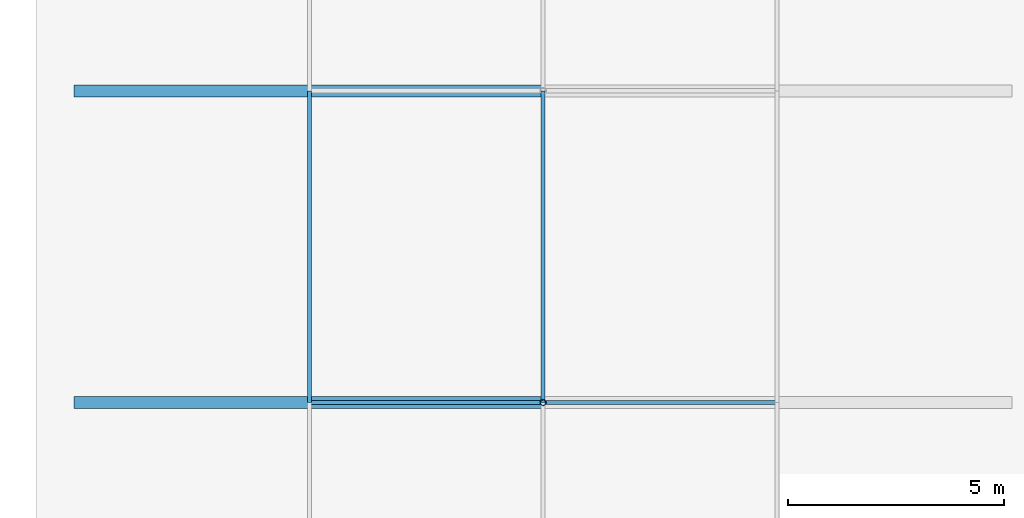
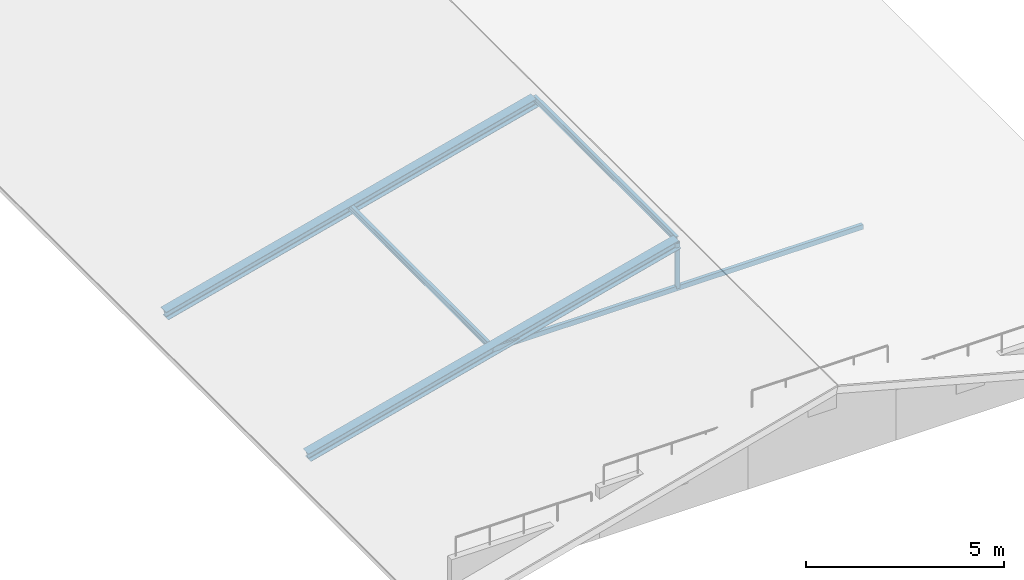
# One storey, part 15 of 65: 6 members.
"""IFC4 building model written with IfcOpenShell, lengths in metres."""

from ifc_helpers import new_model, si_unit, direction, frame, origin, origin_2d, place, context, subcontext, project, spatial, hollow_rectangle, hollow_circle, i_section, extrude, material, material_profile, profile_set, type_object, element, save


model = new_model("IFC4")

# Units and contexts
model_context = context("Model", 3, precision=1e-05, world=origin(), true_north=direction((0.0, 1.0)))
body_context = subcontext(model_context, "Body", "Model", "MODEL_VIEW")
ifc_project = project(units=[si_unit("LENGTHUNIT", "METRE"), si_unit("AREAUNIT", "SQUARE_METRE"), si_unit("VOLUMEUNIT", "CUBIC_METRE"), si_unit("PLANEANGLEUNIT", "RADIAN"), si_unit("MASSUNIT", "GRAM", prefix="KILO"), si_unit("THERMODYNAMICTEMPERATUREUNIT", "KELVIN"), si_unit("POWERUNIT", "WATT")], contexts=[model_context])

# Site, building, storey
site_placement = place(None, origin())
site = spatial("IfcSite", under=ifc_project, at=site_placement, CompositionType="ELEMENT")
building_placement = place(site_placement, origin())
building = spatial("IfcBuilding", under=site, at=building_placement, Name="Tavuni Mirador Residences", CompositionType="ELEMENT")
storey_placement = place(building_placement, frame((0.0, 0.0, 29.699951171875)))
storey = spatial("IfcBuildingStorey", under=building, at=storey_placement, Name="L09", CompositionType="ELEMENT", Elevation=29.699951171875)

# Members
ifc_material = material(Name="Structural steel S355", Category="steel")
ifc_material_profile_1 = material_profile(ifc_material, hollow_circle(Radius=0.06982421875, WallThickness=0.008056640625, at=origin_2d()), Name="CHS 139.7x8.0", Category="steel")
ifc_profile_set_1 = profile_set([ifc_material_profile_1], Name="Structural steel S355")
member_type_1 = type_object("IfcMemberType", Name="MT-BR-CHS139", PredefinedType="BRACE", material=ifc_profile_set_1)
member_1_placement = place(storey_placement, frame((14.39990234375, 72.0, 1.050048828125), z_axis=(0.0, 0.0, 1.0), x_axis=(1.0, 0.0, 0.0)))
element("IfcMember", 1, at=member_1_placement, inside=storey, type_object=member_type_1, Name="RKP-BLK-B-01", PredefinedType="BRACE", context=body_context, shape_type="SweptSolid", body=[
    extrude(hollow_circle(Radius=0.06982421875, WallThickness=0.008056640625, at=origin_2d()), origin(), (0.0, 0.0, 1.0), 1.39990234375),
])
ifc_material_profile_2 = material_profile(ifc_material, hollow_rectangle(XDim=0.10009765625, YDim=0.14990234375, WallThickness=0.008056640625, at=origin_2d()), Name="RHS 150x100x8.0", Category="steel")
ifc_profile_set_2 = profile_set([ifc_material_profile_2], Name="Structural steel S355")
member_type_2 = type_object("IfcMemberType", Name="MT-BR-RHS150", PredefinedType="BRACE", material=ifc_profile_set_2)
member_2_placement = place(storey_placement, frame((9.0, 72.0, 1.050048828125), z_axis=(1.0, 0.0, 0.0), x_axis=(0.0, 1.0, 0.0)))
element("IfcMember", 2, at=member_2_placement, inside=storey, type_object=member_type_2, Name="RTIE-BLK-B-01", PredefinedType="BRACE", context=body_context, shape_type="SweptSolid", body=[
    extrude(hollow_rectangle(XDim=0.10009765625, YDim=0.14990234375, WallThickness=0.008056640625, at=origin_2d()), origin(), (0.0, 0.0, 1.0), 10.800048828125),
])
ifc_material_profile_3 = material_profile(ifc_material, i_section(OverallWidth=0.280029296875, OverallDepth=0.27001953125, WebThickness=0.008056640625, FlangeThickness=0.012939453125, FilletRadius=0.02392578125, at=origin_2d()), Name="HEA 280", Category="steel")
ifc_profile_set_3 = profile_set([ifc_material_profile_3], Name="Structural steel S355")
member_type_3 = type_object("IfcMemberType", Name="MT-CH-HEA280", PredefinedType="CHORD", material=ifc_profile_set_3)
for number, where, z_axis, x_axis, name in (
    (3, (3.60009765625, 72.0, -0.349853515625), (0.968000048288, 0.0, 0.250950007997), (0.0, 1.0, 0.0), "RAF-BLK-B-01-W"),
    (4, (3.60009765625, 79.199951171875, -0.349853515625), (0.968000048288, 0.0, 0.250950007997), (0.0, 1.0, 0.0), "RAF-BLK-B-02-W"),
):
    element("IfcMember", number, at=place(storey_placement, frame(where, z_axis=z_axis, x_axis=x_axis)), inside=storey, type_object=member_type_3, Name=name, PredefinedType="CHORD", context=body_context, shape_type="SweptSolid", body=[
        extrude(i_section(OverallWidth=0.280029296875, OverallDepth=0.27001953125, WebThickness=0.008056640625, FlangeThickness=0.012939453125, FilletRadius=0.02392578125, at=origin_2d()), origin(), (0.0, 0.0, 1.0), 11.15673828125),
    ])
ifc_material_profile_4 = material_profile(ifc_material, i_section(OverallWidth=0.091064453125, OverallDepth=0.179931640625, WebThickness=0.00537109375, FlangeThickness=0.008056640625, FilletRadius=0.009033203125, at=origin_2d()), Name="IPE 180", Category="steel")
ifc_profile_set_4 = profile_set([ifc_material_profile_4], Name="Structural steel S355")
member_type_4 = type_object("IfcMemberType", Name="MT-PR-IPE180", PredefinedType="PURLIN", material=ifc_profile_set_4)
for number, where, z_axis, x_axis, name in (
    (5, (9.0, 72.0, 1.074951171875), (0.0, 1.0, 0.0), (-1.0, 0.0, 0.0), "RPUR-BLK-B-25-01"),
    (6, (14.39990234375, 72.0, 2.525146484375), (0.0, 1.0, 0.0), (-1.0, 0.0, 0.0), "RPUR-BLK-B-50-01"),
):
    element("IfcMember", number, at=place(storey_placement, frame(where, z_axis=z_axis, x_axis=x_axis)), inside=storey, type_object=member_type_4, Name=name, PredefinedType="PURLIN", context=body_context, shape_type="SweptSolid", body=[
        extrude(i_section(OverallWidth=0.091064453125, OverallDepth=0.179931640625, WebThickness=0.00537109375, FlangeThickness=0.008056640625, FilletRadius=0.009033203125, at=origin_2d()), origin(), (0.0, 0.0, 1.0), 7.199951171875),
    ])

save(model, "model.ifc")
